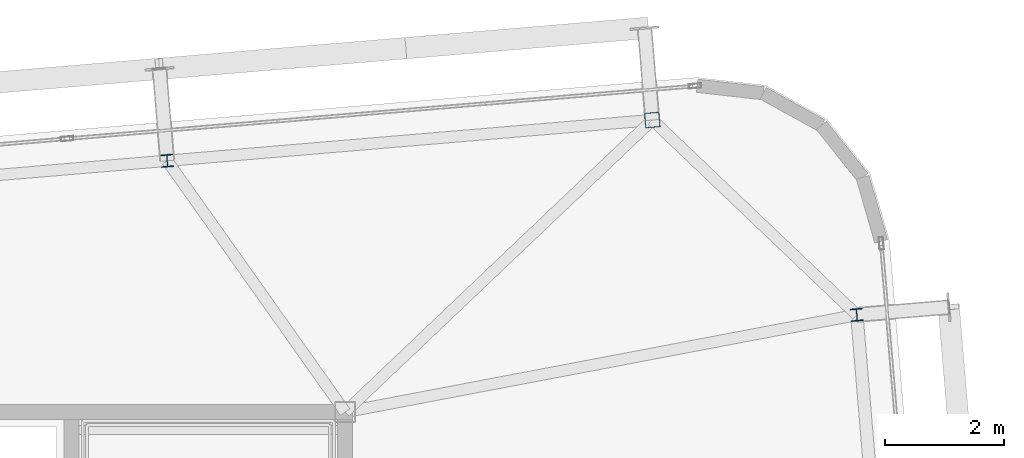
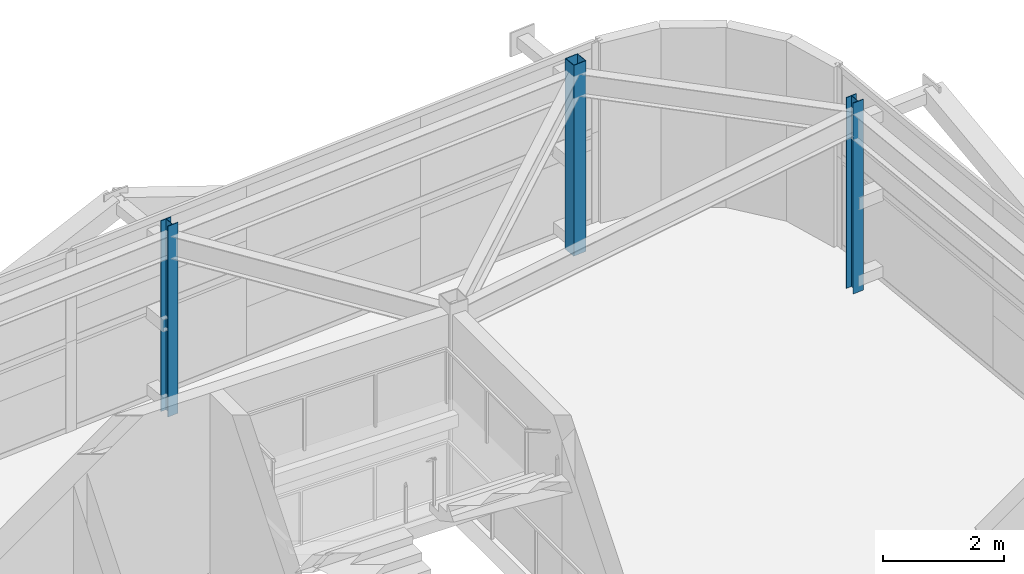
# One storey, part 6 of 38: 3 columns.
"""IFC4 building model written with IfcOpenShell, lengths in metres."""

from ifc_helpers import new_model, si_unit, direction, frame, origin, origin_2d, place, context, subcontext, project, spatial, hollow_rectangle, i_section, extrude, source, transform, mapped, material, material_profile, profile_set, type_object, element, save


model = new_model("IFC4")

# Units and contexts
model_context = context("Model", 3, precision=1e-05, world=origin(), true_north=direction((0.0, 1.0)))
body_context = subcontext(model_context, "Body", "Model", "MODEL_VIEW")
ifc_project = project(units=[si_unit("LENGTHUNIT", "METRE"), si_unit("AREAUNIT", "SQUARE_METRE"), si_unit("VOLUMEUNIT", "CUBIC_METRE"), si_unit("PLANEANGLEUNIT", "RADIAN"), si_unit("MASSUNIT", "GRAM", prefix="KILO")], contexts=[model_context])

# Site, building, storey
site_placement = place(None, origin())
site = spatial("IfcSite", under=ifc_project, at=site_placement, CompositionType="ELEMENT")
building_placement = place(site_placement, origin())
building = spatial("IfcBuilding", under=site, at=building_placement, Name="Taldren Reach Tower", CompositionType="ELEMENT")
storey_placement = place(building_placement, frame((0.0, 0.0, 168.699951171875)))
storey = spatial("IfcBuildingStorey", under=building, at=storey_placement, Name="L51", CompositionType="ELEMENT", Elevation=168.699951171875)

# Columns
ifc_material_1 = material(Name="Steel Gr 350 (C350L0)", Category="steel")
ifc_material_profile_1 = material_profile(ifc_material_1, hollow_rectangle(XDim=0.25, YDim=0.25, WallThickness=0.010009765625, at=origin_2d()), Name="250x250x10.0SHS")
ifc_profile_set_1 = profile_set([ifc_material_profile_1], Name="Steel Gr 350 (C350L0)")
column_type_1 = type_object("IfcColumnType", Name="COL-SHS250", PredefinedType="COLUMN", material=ifc_profile_set_1)
shared_shape_1 = source(origin(), body_context, "Body", "SweptSolid", [
    extrude(hollow_rectangle(XDim=0.25, YDim=0.25, WallThickness=0.010009765625, at=origin_2d()), origin(), (0.0, 0.0, 1.0), 3.85009765625),
])
column_placement = place(storey_placement, frame((56.160400390625, 36.906005859375, 0.0), z_axis=(0.0, 0.0, 1.0), x_axis=(0.99649285925, 0.083677843332, 0.0)))
element("IfcColumn", 1, at=column_placement, inside=storey, type_object=column_type_1, Name="Block B4 perimeter column N6 L51", PredefinedType="COLUMN", context=body_context, shape_type="MappedRepresentation", body=[
    mapped(shared_shape_1, transform((0.0, 0.0, 0.0), scale=1.0)),
])
ifc_material_2 = material(Name="Steel Gr 350 (350PLUS)", Category="steel")
ifc_material_profile_2 = material_profile(ifc_material_2, i_section(OverallWidth=0.205078125, OverallDepth=0.2099609375, WebThickness=0.00927734375, FlangeThickness=0.01416015625, at=origin_2d()), Name="200UC59.5")
ifc_profile_set_2 = profile_set([ifc_material_profile_2], Name="Steel Gr 350 (350PLUS)")
column_type_2 = type_object("IfcColumnType", Name="COL-UC200", PredefinedType="COLUMN", material=ifc_profile_set_2)
shared_shape_2 = source(origin(), body_context, "Body", "SweptSolid", [
    extrude(i_section(OverallWidth=0.205078125, OverallDepth=0.2099609375, WebThickness=0.00927734375, FlangeThickness=0.01416015625, at=origin_2d()), origin(), (0.0, 0.0, 1.0), 3.85009765625),
])
for number, where, z_axis, x_axis, name in (
    (2, (48.009033203125, 36.221435546875, 0.0), (0.0, 0.0, 1.0), (0.99649285925, 0.083677843332, 0.0), "Block B4 perimeter column N5 L51"),
    (3, (59.596435546875, 33.632080078125, 0.0), (0.0, 0.0, 1.0), (0.99649285925, 0.083677843332, 0.0), "Block B4 perimeter column E3 L51"),
):
    element("IfcColumn", number, at=place(storey_placement, frame(where, z_axis=z_axis, x_axis=x_axis)), inside=storey, type_object=column_type_2, Name=name, PredefinedType="COLUMN", context=body_context, shape_type="MappedRepresentation", body=[
        mapped(shared_shape_2, transform((0.0, 0.0, 0.0), scale=1.0)),
    ])

save(model, "model.ifc")
